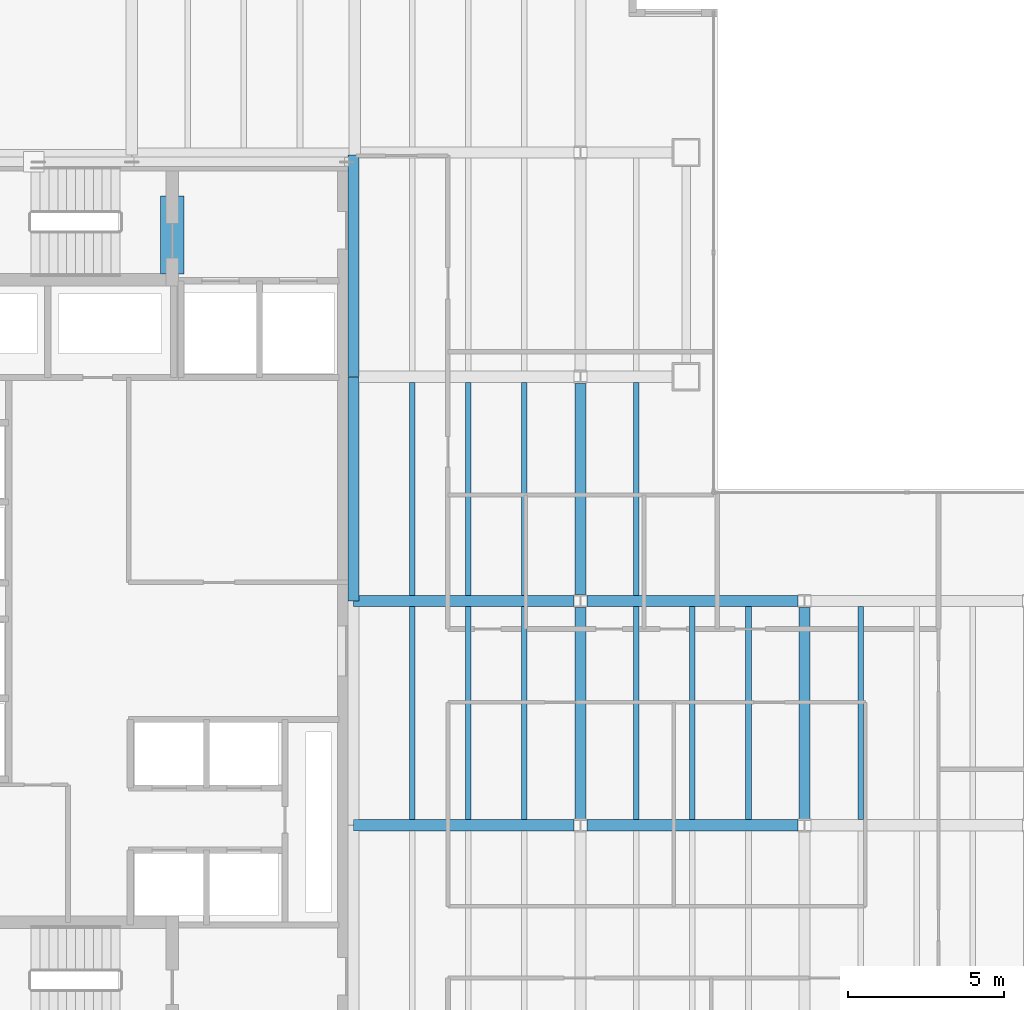
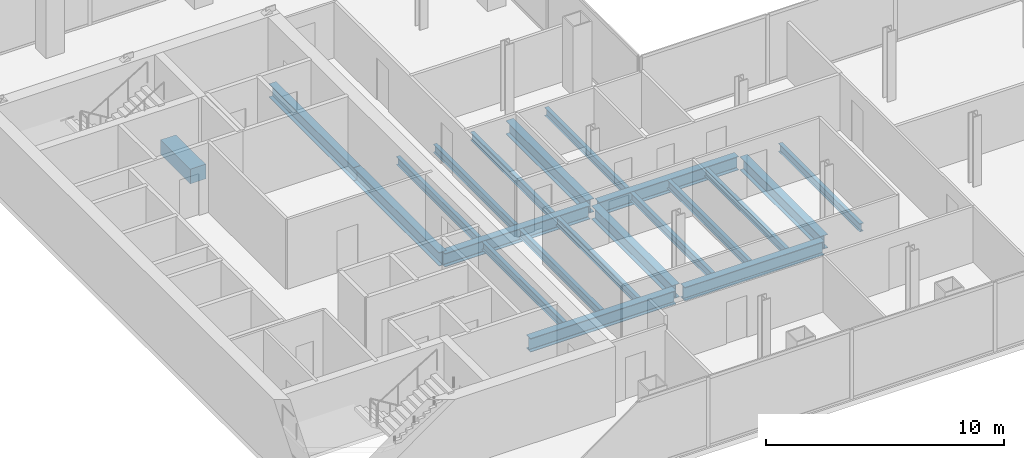
# One storey, part 6 of 23: 21 beams.
"""IFC4 building model written with IfcOpenShell, lengths in metres."""

from ifc_helpers import new_model, si_unit, direction, frame, origin, origin_2d, place, context, subcontext, project, spatial, rectangle, i_section, extrude, material, material_profile, profile_set, type_object, element, save


model = new_model("IFC4")

# Units and contexts
model_context = context("Model", 3, precision=1e-05, world=origin(), true_north=direction((0.0, 1.0)))
body_context = subcontext(model_context, "Body", "Model", "MODEL_VIEW")
ifc_project = project(units=[si_unit("LENGTHUNIT", "METRE"), si_unit("AREAUNIT", "SQUARE_METRE"), si_unit("VOLUMEUNIT", "CUBIC_METRE"), si_unit("PLANEANGLEUNIT", "RADIAN"), si_unit("MASSUNIT", "GRAM", prefix="KILO")], contexts=[model_context])

# Site, building, storey
site_placement = place(None, origin())
site = spatial("IfcSite", under=ifc_project, at=site_placement, CompositionType="ELEMENT")
building_placement = place(site_placement, origin())
building = spatial("IfcBuilding", under=site, at=building_placement, Name="Cobrela Telecom Tower", CompositionType="ELEMENT")
storey_placement = place(building_placement, frame((0.0, 0.0, 144.550048828125)))
storey = spatial("IfcBuildingStorey", under=building, at=storey_placement, Name="L36", CompositionType="ELEMENT", Elevation=144.550048828125)

# Beams
ifc_material_1 = material(Name="Concrete C40/50", Category="concrete")
ifc_material_profile_1 = material_profile(ifc_material_1, rectangle(XDim=0.75, YDim=0.75, at=origin_2d()), Name="RC 750x750")
ifc_profile_set_1 = profile_set([ifc_material_profile_1], Name="Concrete C40/50")
beam_type_1 = type_object("IfcBeamType", Name="BM-COUP-RC", PredefinedType="LINTEL", material=ifc_profile_set_1)
beam_1_placement = place(storey_placement, frame((8.5, 32.10009765625, -0.6201171875), z_axis=(0.0, 1.0, 0.0), x_axis=(-1.0, 0.0, 0.0)))
element("IfcBeam", 1, at=beam_1_placement, inside=storey, type_object=beam_type_1, Name="L36 Core Coupling Lintel Beam", PredefinedType="LINTEL", context=body_context, shape_type="SweptSolid", body=[
    extrude(rectangle(XDim=0.75, YDim=0.75, at=origin_2d()), origin(), (0.0, 0.0, 1.0), 2.5),
])
ifc_material_2 = material(Name="Steel ASTM A992 Grade 50", Category="steel")
ifc_material_profile_2 = material_profile(ifc_material_2, i_section(OverallWidth=0.35595703125, OverallDepth=0.696044921875, WebThickness=0.015380859375, FlangeThickness=0.024658203125, FilletRadius=0.01806640625, at=origin_2d()), Name="W27X146")
ifc_profile_set_2 = profile_set([ifc_material_profile_2], Name="Steel ASTM A992 Grade 50")
beam_type_2 = type_object("IfcBeamType", Name="BM-GIRD-05", PredefinedType="USERDEFINED", material=ifc_profile_set_2)
beam_2_placement = place(storey_placement, frame((14.324951171875, 14.39990234375, -0.6181640625), z_axis=(1.0, 0.0, 0.0), x_axis=(0.0, 1.0, 0.0)))
element("IfcBeam", 2, at=beam_2_placement, inside=storey, type_object=beam_type_2, Name="L36 Primary Girder X13", ObjectType="GIRDER", PredefinedType="USERDEFINED", context=body_context, shape_type="SweptSolid", body=[
    extrude(i_section(OverallWidth=0.35595703125, OverallDepth=0.696044921875, WebThickness=0.015380859375, FlangeThickness=0.024658203125, FilletRadius=0.01806640625, at=origin_2d()), origin(), (0.0, 0.0, 1.0), 7.0654296875),
])
beam_3_placement = place(storey_placement, frame((21.8095703125, 14.39990234375, -0.6181640625), z_axis=(1.0, 0.0, 0.0), x_axis=(0.0, 1.0, 0.0)))
element("IfcBeam", 3, at=beam_3_placement, inside=storey, type_object=beam_type_2, Name="L36 Primary Girder X14", ObjectType="GIRDER", PredefinedType="USERDEFINED", context=body_context, shape_type="SweptSolid", body=[
    extrude(i_section(OverallWidth=0.35595703125, OverallDepth=0.696044921875, WebThickness=0.015380859375, FlangeThickness=0.024658203125, FilletRadius=0.01806640625, at=origin_2d()), origin(), (0.0, 0.0, 1.0), 6.781005859375),
])
beam_4_placement = place(storey_placement, frame((14.324951171875, 21.60009765625, -0.6181640625), z_axis=(1.0, 0.0, 0.0), x_axis=(0.0, 1.0, 0.0)))
element("IfcBeam", 4, at=beam_4_placement, inside=storey, type_object=beam_type_2, Name="L36 Primary Girder X18", ObjectType="GIRDER", PredefinedType="USERDEFINED", context=body_context, shape_type="SweptSolid", body=[
    extrude(i_section(OverallWidth=0.35595703125, OverallDepth=0.696044921875, WebThickness=0.015380859375, FlangeThickness=0.024658203125, FilletRadius=0.01806640625, at=origin_2d()), origin(), (0.0, 0.0, 1.0), 7.0654296875),
])
beam_5_placement = place(storey_placement, frame((21.8095703125, 21.60009765625, -0.6181640625), z_axis=(1.0, 0.0, 0.0), x_axis=(0.0, 1.0, 0.0)))
element("IfcBeam", 5, at=beam_5_placement, inside=storey, type_object=beam_type_2, Name="L36 Primary Girder X19", ObjectType="GIRDER", PredefinedType="USERDEFINED", context=body_context, shape_type="SweptSolid", body=[
    extrude(i_section(OverallWidth=0.35595703125, OverallDepth=0.696044921875, WebThickness=0.015380859375, FlangeThickness=0.024658203125, FilletRadius=0.01806640625, at=origin_2d()), origin(), (0.0, 0.0, 1.0), 6.781005859375),
])
beam_6_placement = place(storey_placement, frame((14.320068359375, 21.60498046875, -0.6181640625), z_axis=(0.0, 1.0, 0.0), x_axis=(-1.0, 0.0, 0.0)))
element("IfcBeam", 6, at=beam_6_placement, inside=storey, type_object=beam_type_2, Name="L36 Primary Girder Y36", ObjectType="GIRDER", PredefinedType="USERDEFINED", context=body_context, shape_type="SweptSolid", body=[
    extrude(i_section(OverallWidth=0.35595703125, OverallDepth=0.696044921875, WebThickness=0.015380859375, FlangeThickness=0.024658203125, FilletRadius=0.01806640625, at=origin_2d()), origin(), (0.0, 0.0, 1.0), 7.18994140625),
])
beam_7_placement = place(storey_placement, frame((14.320068359375, 28.804931640625, -0.6181640625), z_axis=(0.0, 1.0, 0.0), x_axis=(-1.0, 0.0, 0.0)))
element("IfcBeam", 7, at=beam_7_placement, inside=storey, type_object=beam_type_2, Name="L36 Primary Girder Y37", ObjectType="GIRDER", PredefinedType="USERDEFINED", context=body_context, shape_type="SweptSolid", body=[
    extrude(i_section(OverallWidth=0.35595703125, OverallDepth=0.696044921875, WebThickness=0.015380859375, FlangeThickness=0.024658203125, FilletRadius=0.01806640625, at=origin_2d()), origin(), (0.0, 0.0, 1.0), 7.110107421875),
])
beam_8_placement = place(storey_placement, frame((21.60009765625, 14.609619140625, -0.6181640625), z_axis=(0.0, 1.0, 0.0), x_axis=(-1.0, 0.0, 0.0)))
element("IfcBeam", 8, at=beam_8_placement, inside=storey, type_object=beam_type_2, Name="L36 Primary Girder Y41", ObjectType="GIRDER", PredefinedType="USERDEFINED", context=body_context, shape_type="SweptSolid", body=[
    extrude(i_section(OverallWidth=0.35595703125, OverallDepth=0.696044921875, WebThickness=0.015380859375, FlangeThickness=0.024658203125, FilletRadius=0.01806640625, at=origin_2d()), origin(), (0.0, 0.0, 1.0), 6.78076171875),
])
beam_9_placement = place(storey_placement, frame((21.60009765625, 21.8095703125, -0.6181640625), z_axis=(0.0, 1.0, 0.0), x_axis=(-1.0, 0.0, 0.0)))
element("IfcBeam", 9, at=beam_9_placement, inside=storey, type_object=beam_type_2, Name="L36 Primary Girder Y42", ObjectType="GIRDER", PredefinedType="USERDEFINED", context=body_context, shape_type="SweptSolid", body=[
    extrude(i_section(OverallWidth=0.35595703125, OverallDepth=0.696044921875, WebThickness=0.015380859375, FlangeThickness=0.024658203125, FilletRadius=0.01806640625, at=origin_2d()), origin(), (0.0, 0.0, 1.0), 6.781005859375),
])
beam_10_placement = place(storey_placement, frame((28.800048828125, 14.609619140625, -0.6181640625), z_axis=(0.0, 1.0, 0.0), x_axis=(-1.0, 0.0, 0.0)))
element("IfcBeam", 10, at=beam_10_placement, inside=storey, type_object=beam_type_2, Name="L36 Primary Girder Y48", ObjectType="GIRDER", PredefinedType="USERDEFINED", context=body_context, shape_type="SweptSolid", body=[
    extrude(i_section(OverallWidth=0.35595703125, OverallDepth=0.696044921875, WebThickness=0.015380859375, FlangeThickness=0.024658203125, FilletRadius=0.01806640625, at=origin_2d()), origin(), (0.0, 0.0, 1.0), 6.78076171875),
])
ifc_material_profile_3 = material_profile(ifc_material_2, i_section(OverallWidth=0.179931640625, OverallDepth=0.4169921875, WebThickness=0.010986328125, FlangeThickness=0.01806640625, FilletRadius=0.011962890625, at=origin_2d()), Name="W16X57")
ifc_profile_set_3 = profile_set([ifc_material_profile_3], Name="Steel ASTM A992 Grade 50")
beam_type_3 = type_object("IfcBeamType", Name="BM-JOIST-04", PredefinedType="JOIST", material=ifc_profile_set_3)
for number, where, z_axis, x_axis, name in (
    (11, (16.199951171875, 14.5830078125, -0.478515625), (0.0, 1.0, 0.0), (-1.0, 0.0, 0.0), "L36 Secondary Composite Floor Beam J05"),
    (12, (16.199951171875, 21.782958984375, -0.478515625), (0.0, 1.0, 0.0), (-1.0, 0.0, 0.0), "L36 Secondary Composite Floor Beam J06"),
    (13, (18.0, 14.5830078125, -0.478515625), (0.0, 1.0, 0.0), (-1.0, 0.0, 0.0), "L36 Secondary Composite Floor Beam J10"),
    (14, (18.0, 21.782958984375, -0.478515625), (0.0, 1.0, 0.0), (-1.0, 0.0, 0.0), "L36 Secondary Composite Floor Beam J11"),
    (15, (19.800048828125, 14.5830078125, -0.478515625), (0.0, 1.0, 0.0), (-1.0, 0.0, 0.0), "L36 Secondary Composite Floor Beam J15"),
    (16, (19.800048828125, 21.782958984375, -0.478515625), (0.0, 1.0, 0.0), (-1.0, 0.0, 0.0), "L36 Secondary Composite Floor Beam J16"),
    (17, (23.39990234375, 14.5830078125, -0.478515625), (0.0, 1.0, 0.0), (-1.0, 0.0, 0.0), "L36 Secondary Composite Floor Beam J20"),
    (18, (23.39990234375, 21.782958984375, -0.478515625), (0.0, 1.0, 0.0), (-1.0, 0.0, 0.0), "L36 Secondary Composite Floor Beam J21"),
    (19, (25.199951171875, 14.5830078125, -0.478515625), (0.0, 1.0, 0.0), (-1.0, 0.0, 0.0), "L36 Secondary Composite Floor Beam J24"),
    (20, (27.0, 14.5830078125, -0.478515625), (0.0, 1.0, 0.0), (-1.0, 0.0, 0.0), "L36 Secondary Composite Floor Beam J26"),
    (21, (30.60009765625, 14.5830078125, -0.478515625), (0.0, 1.0, 0.0), (-1.0, 0.0, 0.0), "L36 Secondary Composite Floor Beam J28"),
):
    element("IfcBeam", number, at=place(storey_placement, frame(where, z_axis=z_axis, x_axis=x_axis)), inside=storey, type_object=beam_type_3, Name=name, PredefinedType="JOIST", context=body_context, shape_type="SweptSolid", body=[
        extrude(i_section(OverallWidth=0.179931640625, OverallDepth=0.4169921875, WebThickness=0.010986328125, FlangeThickness=0.01806640625, FilletRadius=0.011962890625, at=origin_2d()), origin(), (0.0, 0.0, 1.0), 6.833984375),
    ])

save(model, "model.ifc")
